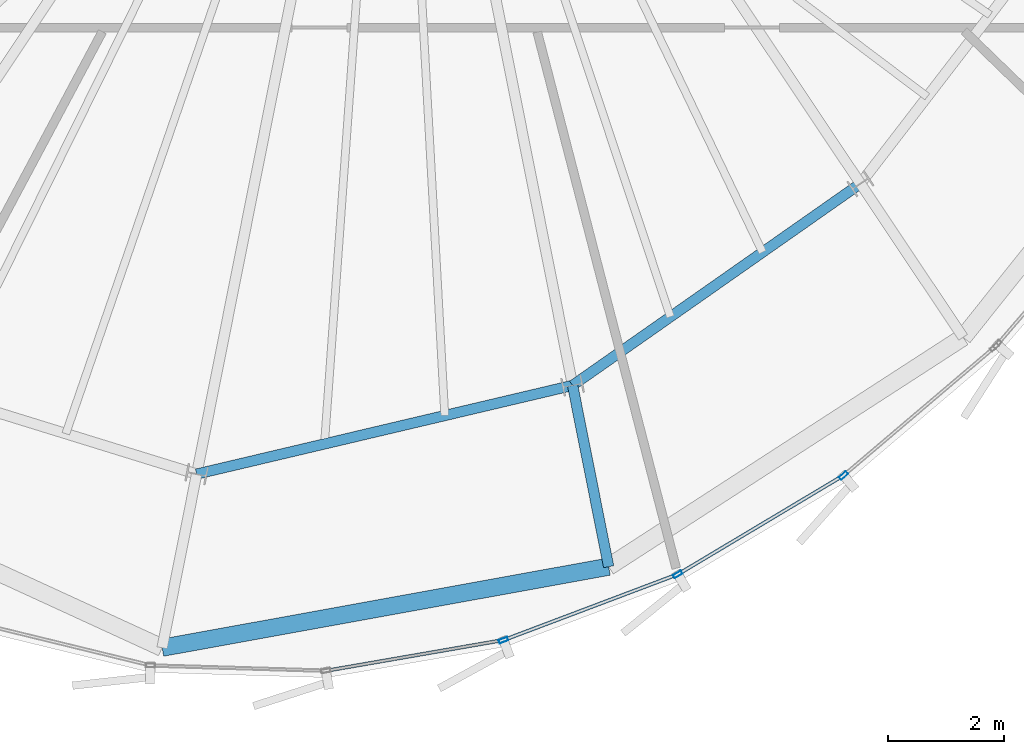
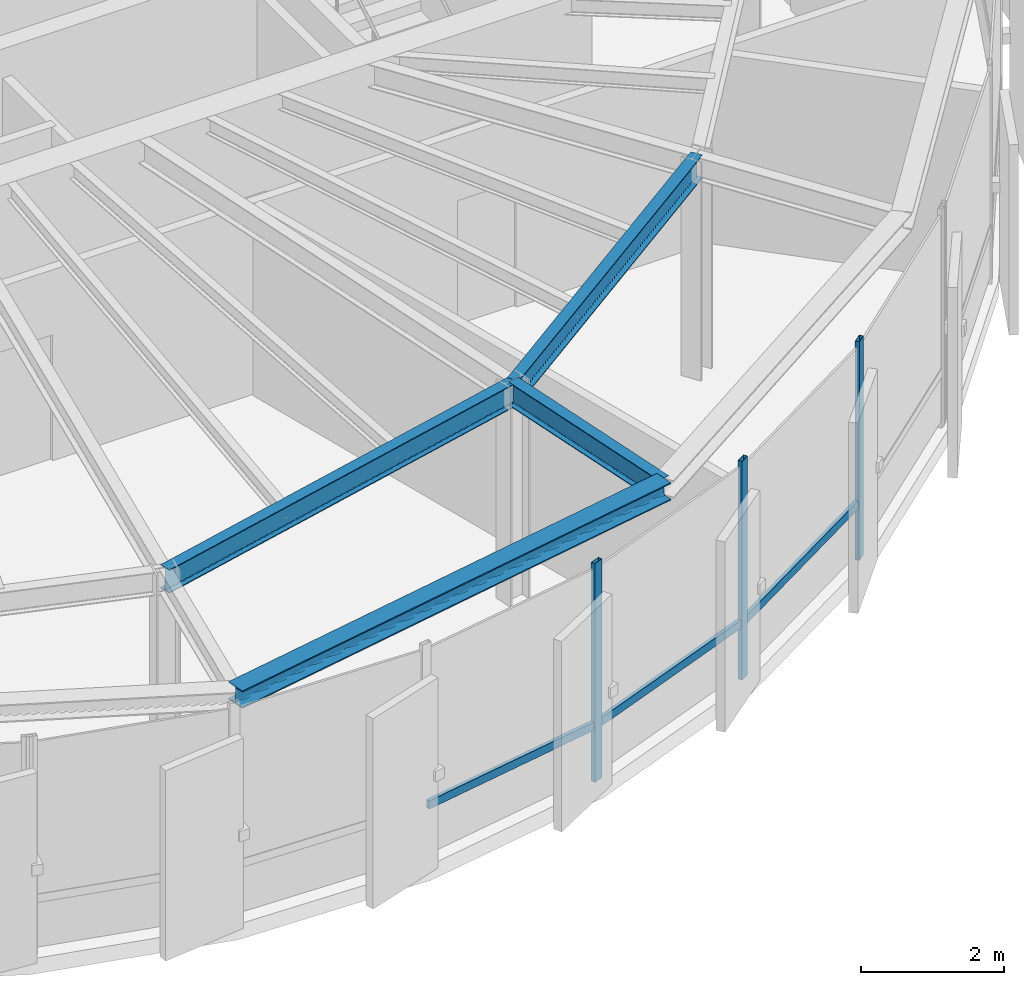
# One storey, part 6 of 26: 6 members, 4 beams, 1 element without a shape of its own.
"""IFC4 building model written with IfcOpenShell, lengths in metres."""

from ifc_helpers import new_model, si_unit, direction, frame, origin, origin_2d, place, context, subcontext, project, spatial, hollow_rectangle, i_section, extrude, source, transform, mapped, material, layer, layer_set, material_profile, profile_set, type_object, element, aggregate, save


model = new_model("IFC4")

# Units and contexts
model_context = context("Model", 3, precision=1e-05, world=origin(), true_north=direction((0.0, 1.0)))
body_context = subcontext(model_context, "Body", "Model", "MODEL_VIEW")
ifc_project = project(units=[si_unit("LENGTHUNIT", "METRE"), si_unit("AREAUNIT", "SQUARE_METRE"), si_unit("VOLUMEUNIT", "CUBIC_METRE"), si_unit("PLANEANGLEUNIT", "RADIAN"), si_unit("MASSUNIT", "GRAM", prefix="KILO"), si_unit("THERMODYNAMICTEMPERATUREUNIT", "KELVIN")], contexts=[model_context])

# Site, building, storey
site_placement = place(None, origin())
site = spatial("IfcSite", under=ifc_project, at=site_placement, CompositionType="ELEMENT")
building_placement = place(site_placement, origin())
building = spatial("IfcBuilding", under=site, at=building_placement, Name="Kethvar Cultural Tower", CompositionType="ELEMENT")
storey_placement = place(building_placement, frame((0.0, 0.0, 316.300048828125)))
storey = spatial("IfcBuildingStorey", under=building, at=storey_placement, Name="L84", CompositionType="ELEMENT", Elevation=316.300048828125)

# Beams
ifc_material_1 = material(Name="Steel S355J2", Category="steel")
ifc_material_profile_1 = material_profile(ifc_material_1, i_section(OverallWidth=0.179931640625, OverallDepth=0.39990234375, WebThickness=0.008544921875, FlangeThickness=0.013427734375, FilletRadius=0.02099609375, at=origin_2d()), Name="Steel S355J2 — IPE400")
ifc_profile_set_1 = profile_set([ifc_material_profile_1], Name="Steel S355J2 — IPE400")
beam_type_1 = type_object("IfcBeamType", Name="BM-IPE400", PredefinedType="BEAM", material=ifc_profile_set_1)
shared_shape_1 = source(origin(), body_context, "Body", "SweptSolid", [
    extrude(i_section(OverallWidth=0.179931640625, OverallDepth=0.39990234375, WebThickness=0.008544921875, FlangeThickness=0.013427734375, FilletRadius=0.02099609375, at=origin_2d()), origin(), (0.0, 0.0, 1.0), 3.199951171875),
])
beam_1_placement = place(storey_placement, frame((49.901611328125, 12.206787109375, 3.532958984375), z_axis=(0.195088965533, -0.980785550224, 0.0), x_axis=(0.980785550224, 0.195088965533, 0.0)))
element("IfcBeam", 1, at=beam_1_placement, inside=storey, type_object=beam_type_1, Name="L84 Perimeter Cantilever Beam RC-13", PredefinedType="BEAM", context=body_context, shape_type="MappedRepresentation", body=[
    mapped(shared_shape_1, transform((0.0, 0.0, 0.0), scale=1.0)),
])
shared_shape_2 = source(origin(), body_context, "Body", "SweptSolid", [
    extrude(i_section(OverallWidth=0.179931640625, OverallDepth=0.39990234375, WebThickness=0.008544921875, FlangeThickness=0.013427734375, FilletRadius=0.02099609375, at=origin_2d()), origin(), (0.0, 0.0, 1.0), 6.6875),
])
beam_2_placement = place(storey_placement, frame((43.392822265625, 10.67138671875, 3.532958984375), z_axis=(0.973286301494, 0.22959480683, 0.0), x_axis=(-0.22959480683, 0.973286301494, 0.0)))
element("IfcBeam", 2, at=beam_2_placement, inside=storey, type_object=beam_type_1, Name="L84 Column Ring Tie Beam CR-12", PredefinedType="BEAM", context=body_context, shape_type="MappedRepresentation", body=[
    mapped(shared_shape_2, transform((0.0, 0.0, 0.0), scale=1.0)),
])
shared_shape_3 = source(origin(), body_context, "Body", "SweptSolid", [
    extrude(i_section(OverallWidth=0.179931640625, OverallDepth=0.39990234375, WebThickness=0.008544921875, FlangeThickness=0.013427734375, FilletRadius=0.02099609375, at=origin_2d()), origin(), (0.0, 0.0, 1.0), 6.0859375),
])
beam_3_placement = place(storey_placement, frame((49.901611328125, 12.206787109375, 3.532958984375), z_axis=(0.818843498091, 0.57401683393, 0.0), x_axis=(-0.57401683393, 0.818843498091, 0.0)))
element("IfcBeam", 3, at=beam_3_placement, inside=storey, type_object=beam_type_1, Name="L84 Column Ring Tie Beam CR-13", PredefinedType="BEAM", context=body_context, shape_type="MappedRepresentation", body=[
    mapped(shared_shape_3, transform((0.0, 0.0, 0.0), scale=1.0)),
])
ifc_material_profile_2 = material_profile(ifc_material_1, i_section(OverallWidth=0.300048828125, OverallDepth=0.300048828125, WebThickness=0.010986328125, FlangeThickness=0.01904296875, FilletRadius=0.027099609375, at=origin_2d()), Name="Steel S355J2 — HEB300")
ifc_profile_set_2 = profile_set([ifc_material_profile_2], Name="Steel S355J2 — HEB300")
beam_type_2 = type_object("IfcBeamType", Name="BM-SP300", PredefinedType="SPANDREL", material=ifc_profile_set_2)
shared_shape_4 = source(origin(), body_context, "Body", "SweptSolid", [
    extrude(i_section(OverallWidth=0.300048828125, OverallDepth=0.300048828125, WebThickness=0.010986328125, FlangeThickness=0.01904296875, FilletRadius=0.027099609375, at=origin_2d()), origin(), (0.0, 0.0, 1.0), 7.857177734375),
])
beam_4_placement = place(storey_placement, frame((42.794921875, 7.6650390625, 3.5830078125), z_axis=(0.983921572582, 0.17860106105, 0.0), x_axis=(-0.17860106105, 0.983921572582, 0.0)))
element("IfcBeam", 4, at=beam_4_placement, inside=storey, type_object=beam_type_2, Name="L84 Perimeter Spandrel Beam SP-12", PredefinedType="SPANDREL", context=body_context, shape_type="MappedRepresentation", body=[
    mapped(shared_shape_4, transform((0.0, 0.0, 0.0), scale=1.0)),
])

# Curtain wall, members
ifc_material_2 = material(Name="Aluminium 6063-T6", Category="aluminium")
ifc_layer = layer(ifc_material_2, 0.179931640625, Name="Aluminium 6063-T6", Category="aluminium")
ifc_layer_set = layer_set([ifc_layer], Name="Aluminium 6063-T6 (180 mm)")
curtain_wall_type = type_object("IfcCurtainWallType", Name="CW-SYS-06-CROWN", PredefinedType="NOTDEFINED", material=ifc_layer_set)
curtain_wall_placement = place(storey_placement, origin())
curtain_wall = element("IfcCurtainWall", 5, at=curtain_wall_placement, inside=storey, type_object=curtain_wall_type, Name="L84 Curtain Wall Run 04", PredefinedType="NOTDEFINED")
ifc_material_profile_3 = material_profile(ifc_material_2, hollow_rectangle(XDim=0.06494140625, YDim=0.159912109375, WallThickness=0.0048828125, at=origin_2d()), Name="Aluminium 6063-T6 — RHS160x65x5")
ifc_profile_set_3 = profile_set([ifc_material_profile_3], Name="Aluminium 6063-T6 — RHS160x65x5")
member_type_1 = type_object("IfcMemberType", Name="CW-SYS-06-CROWN-MUL", PredefinedType="MULLION", material=ifc_profile_set_3)
shared_shape_5 = source(origin(), body_context, "Body", "SweptSolid", [
    extrude(hollow_rectangle(XDim=0.06494140625, YDim=0.159912109375, WallThickness=0.0048828125, at=origin_2d()), origin(), (0.0, 0.0, 1.0), 3.73486328125),
])
member_1_placement = place(storey_placement, frame((48.70458984375, 7.7958984375, 0.0), z_axis=(0.0, 0.0, 1.0), x_axis=(-0.353540149231, 0.935419351351, 0.0)))
member_1 = element("IfcMember", 6, at=member_1_placement, type_object=member_type_1, Name="CW-L84-R04 Mullion 4", PredefinedType="MULLION", context=body_context, shape_type="MappedRepresentation", body=[
    mapped(shared_shape_5, transform((0.0, 0.0, 0.0), scale=1.0)),
])
member_2_placement = place(storey_placement, frame((51.722900390625, 8.9345703125, 0.0), z_axis=(0.0, 0.0, 1.0), x_axis=(-0.512867171137, 0.85846797539, 0.0)))
member_2 = element("IfcMember", 7, at=member_2_placement, type_object=member_type_1, Name="CW-L84-R04 Mullion 5", PredefinedType="MULLION", context=body_context, shape_type="MappedRepresentation", body=[
    mapped(shared_shape_5, transform((0.0, 0.0, 0.0), scale=1.0)),
])
member_3_placement = place(storey_placement, frame((54.5927734375, 10.647216796875, 0.0), z_axis=(0.0, 0.0, 1.0), x_axis=(-0.647375275966, 0.762171405963, 0.0)))
member_3 = element("IfcMember", 8, at=member_3_placement, type_object=member_type_1, Name="CW-L84-R04 Mullion 6", PredefinedType="MULLION", context=body_context, shape_type="MappedRepresentation", body=[
    mapped(shared_shape_5, transform((0.0, 0.0, 0.0), scale=1.0)),
])
ifc_material_profile_4 = material_profile(ifc_material_2, hollow_rectangle(XDim=0.06005859375, YDim=0.139892578125, WallThickness=0.0048828125, at=origin_2d()), Name="Aluminium 6063-T6 — RHS140x60x5")
ifc_profile_set_4 = profile_set([ifc_material_profile_4], Name="Aluminium 6063-T6 — RHS140x60x5")
member_type_2 = type_object("IfcMemberType", Name="CW-SYS-06-CROWN-TRN", PredefinedType="USERDEFINED", material=ifc_profile_set_4)
shared_shape_6 = source(origin(), body_context, "Body", "SweptSolid", [
    extrude(hollow_rectangle(XDim=0.06005859375, YDim=0.139892578125, WallThickness=0.0048828125, at=origin_2d()), origin(), (0.0, 0.0, 1.0), 3.04931640625),
])
member_4_placement = place(storey_placement, frame((45.67578125, 7.273193359375, 0.949951171875), z_axis=(0.985324362706, 0.170692414178, 0.0), x_axis=(-0.170692414178, 0.985324362706, 0.0)))
member_4 = element("IfcMember", 9, at=member_4_placement, type_object=member_type_2, Name="CW-L84-R04 Transom 3", ObjectType="TRANSOM", PredefinedType="USERDEFINED", context=body_context, shape_type="MappedRepresentation", body=[
    mapped(shared_shape_6, transform((0.0, 0.0, 0.0), scale=1.0)),
])
shared_shape_7 = source(origin(), body_context, "Body", "SweptSolid", [
    extrude(hollow_rectangle(XDim=0.06005859375, YDim=0.139892578125, WallThickness=0.0048828125, at=origin_2d()), origin(), (0.0, 0.0, 1.0), 3.153564453125),
])
member_5_placement = place(storey_placement, frame((48.748291015625, 7.8125, 0.949951171875), z_axis=(0.935438532841, 0.353489393441, 0.0), x_axis=(-0.353489393441, 0.935438532841, 0.0)))
member_5 = element("IfcMember", 10, at=member_5_placement, type_object=member_type_2, Name="CW-L84-R04 Transom 4", ObjectType="TRANSOM", PredefinedType="USERDEFINED", context=body_context, shape_type="MappedRepresentation", body=[
    mapped(shared_shape_7, transform((0.0, 0.0, 0.0), scale=1.0)),
])
shared_shape_8 = source(origin(), body_context, "Body", "SweptSolid", [
    extrude(hollow_rectangle(XDim=0.06005859375, YDim=0.139892578125, WallThickness=0.0048828125, at=origin_2d()), origin(), (0.0, 0.0, 1.0), 3.2685546875),
])
member_6_placement = place(storey_placement, frame((51.762939453125, 8.95849609375, 0.949951171875), z_axis=(0.858473387563, 0.512858111808, 0.0), x_axis=(-0.512858111808, 0.858473387563, 0.0)))
member_6 = element("IfcMember", 11, at=member_6_placement, type_object=member_type_2, Name="CW-L84-R04 Transom 5", ObjectType="TRANSOM", PredefinedType="USERDEFINED", context=body_context, shape_type="MappedRepresentation", body=[
    mapped(shared_shape_8, transform((0.0, 0.0, 0.0), scale=1.0)),
])
aggregate(curtain_wall, [member_1, member_2, member_3, member_4, member_5, member_6])

save(model, "model.ifc")
